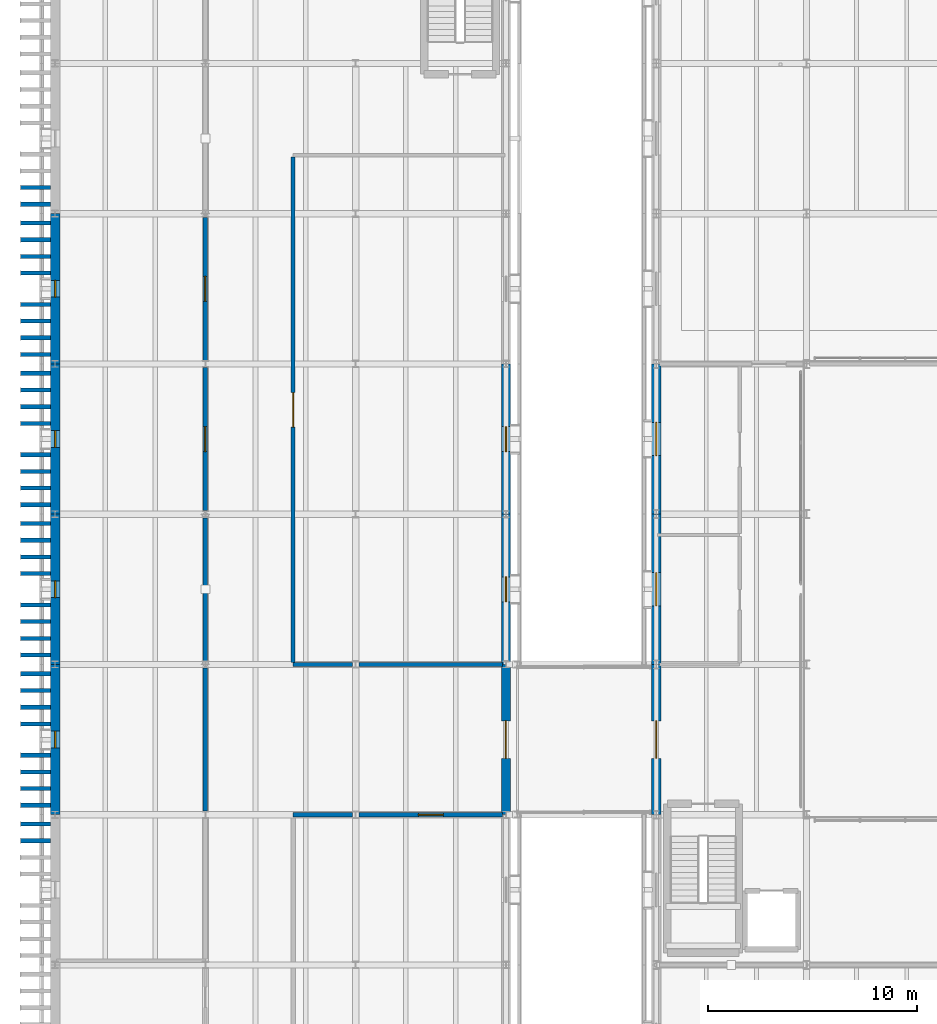
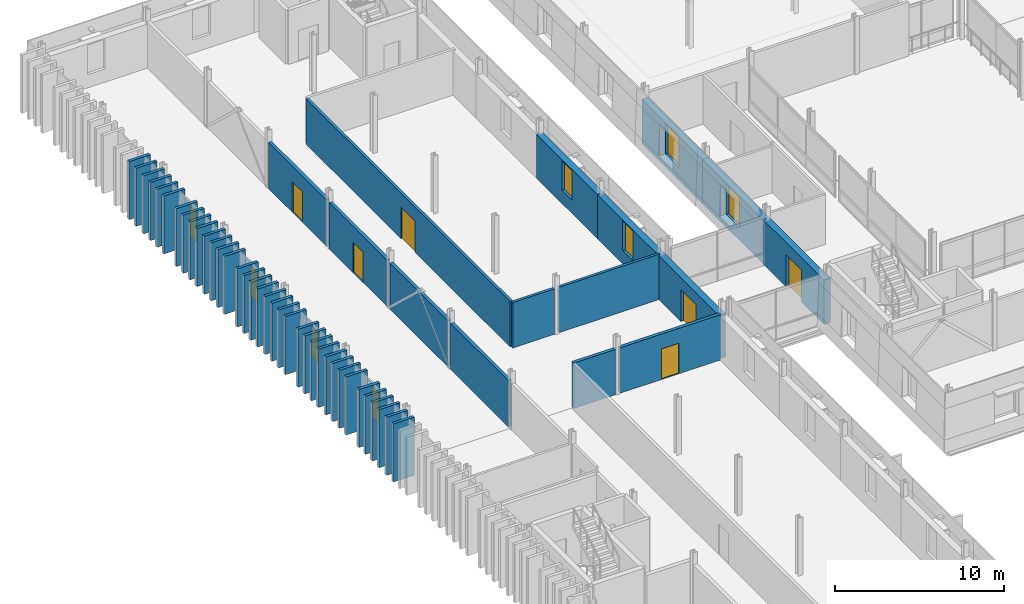
# One storey, part 70 of 115: 55 walls, 8 windows, 6 doors, 14 openings.
"""IFC4 building model written with IfcOpenShell, lengths in metres."""

from ifc_helpers import new_model, si_unit, direction, frame, frame_2d, origin, place, context, subcontext, project, spatial, rectangle, extrude, material, layer, layer_set, type_object, element, fill, save


model = new_model("IFC4")

# Units and contexts
model_context = context("Model", 3, precision=1e-05, world=origin(), true_north=direction((0.0, 1.0)))
body_context = subcontext(model_context, "Body", "Model", "MODEL_VIEW")
ifc_project = project(units=[si_unit("LENGTHUNIT", "METRE"), si_unit("AREAUNIT", "SQUARE_METRE"), si_unit("VOLUMEUNIT", "CUBIC_METRE"), si_unit("PLANEANGLEUNIT", "RADIAN"), si_unit("MASSUNIT", "GRAM", prefix="KILO")], contexts=[model_context])

# Site, building, storey
site_placement = place(None, origin())
site = spatial("IfcSite", under=ifc_project, at=site_placement, CompositionType="ELEMENT")
building_placement = place(site_placement, origin())
building = spatial("IfcBuilding", under=site, at=building_placement, Name="Narikvali Park Central Library", CompositionType="ELEMENT")
storey_placement = place(building_placement, frame((0.0, 0.0, 10.199951171875)))
storey = spatial("IfcBuildingStorey", under=building, at=storey_placement, Name="L02", CompositionType="ELEMENT", Elevation=10.199951171875)

# Wall
ifc_material_1 = material(Name="Reinforced Masonry Blockwork C30/37", Category="masonry")
ifc_layer_1 = layer(ifc_material_1, 0.219970703125, Name="Reinforced Masonry Blockwork C30/37")
ifc_layer_set_1 = layer_set([ifc_layer_1], Name="Reinforced Masonry Blockwork C30/37")
wall_type_1 = type_object("IfcWallType", Name="Archive Fire-Resisting Partition 220", PredefinedType="SOLIDWALL", material=ifc_layer_set_1)
wall_1_placement = place(storey_placement, frame((11.39990234375, 64.800048828125, 0.0), z_axis=(0.0, 0.0, 1.0), x_axis=(1.0, 0.0, 0.0)))
element("IfcWall", 1, at=wall_1_placement, inside=storey, type_object=wall_type_1, Name="Closed Book Stacks L02 Partition N", PredefinedType="SOLIDWALL", context=body_context, shape_type="SweptSolid", body=[
    extrude(rectangle(XDim=2.841064453125, YDim=0.219970703125, at=frame_2d((1.42041015625, 0.0))), origin(), (0.0, 0.0, 1.0), 3.28515625),
])

# Wall, opening, door
wall_2_placement = place(storey_placement, frame((14.55908203125, 64.800048828125, 0.0), z_axis=(0.0, 0.0, 1.0), x_axis=(1.0, 0.0, 0.0)))
wall_2 = element("IfcWall", 2, at=wall_2_placement, inside=storey, type_object=wall_type_1, Name="Closed Book Stacks L02 Partition N", PredefinedType="SOLIDWALL", context=body_context, shape_type="SweptSolid", body=[
    extrude(rectangle(XDim=6.8818359375, YDim=0.219970703125, at=frame_2d((3.44091796875, 0.0))), origin(), (0.0, 0.0, 1.0), 3.28515625),
])
opening_1_placement = place(wall_2_placement, frame((2.841064453125, 0.0, 0.0)))
opening_1 = element("IfcOpeningElement", 3, at=opening_1_placement, cuts=wall_2, Name="Opening ID-0127", PredefinedType="OPENING", context=body_context, shape_type="SweptSolid", body=[
    extrude(rectangle(XDim=1.199951171875, YDim=2.199951171875, at=frame_2d((0.60009765625, 1.10009765625))), frame((0.0, 0.1220703125, 0.0), z_axis=(0.0, -1.0, 0.0), x_axis=(1.0, 0.0, 0.0)), (0.0, 0.0, 1.0), 0.243896484375),
])
ifc_material_2 = material(Name="Insulated Steel S355 Vault Leaf", Category="steel")
door_type_1 = type_object("IfcDoorType", Name="Archive Vault Heavy Fire Door 1200x2200", OperationType="SINGLE_SWING_LEFT", PredefinedType="DOOR", material=ifc_material_2)
door_1_placement = place(opening_1_placement, frame((1.199951171875, 0.0, 0.0), z_axis=(0.0, 0.0, 1.0), x_axis=(-1.0, 0.0, 0.0)))
door_1 = element("IfcDoor", 4, at=door_1_placement, inside=storey, type_object=door_type_1, Name="Closed Book Stacks L02 Door ID-0127", OperationType="SINGLE_SWING_LEFT", OverallHeight=2.199951171875, OverallWidth=1.199951171875, PredefinedType="DOOR", context=body_context, shape_type="SweptSolid", body=[
    extrude(rectangle(XDim=1.199951171875, YDim=2.199951171875, at=frame_2d((0.60009765625, 1.10009765625))), frame((0.0, 0.02490234375, 0.0), z_axis=(0.0, -1.0, 0.0), x_axis=(1.0, 0.0, 0.0)), (0.0, 0.0, 1.0), 0.050048828125),
])
fill(opening_1, door_1)

# Walls
for number, where, z_axis, x_axis, name in (
    (5, (7.199951171875, 64.97412109375, 0.0), (0.0, 0.0, 1.0), (0.0, 1.0, 0.0), "Compact Mobile Shelving Stacks L02 Partition E"),
    (6, (7.199951171875, 72.174072265625, 0.0), (0.0, 0.0, 1.0), (0.0, 1.0, 0.0), "Compact Mobile Shelving Stacks L02 Partition E"),
):
    element("IfcWall", number, at=place(storey_placement, frame(where, z_axis=z_axis, x_axis=x_axis)), inside=storey, type_object=wall_type_1, Name=name, PredefinedType="SOLIDWALL", context=body_context, shape_type="SweptSolid", body=[
        extrude(rectangle(XDim=6.851806640625, YDim=0.219970703125, at=frame_2d((3.42578125, 0.0))), origin(), (0.0, 0.0, 1.0), 3.344970703125),
    ])

# Wall, opening, door
wall_3_placement = place(storey_placement, frame((7.199951171875, 79.3740234375, 0.0), z_axis=(0.0, 0.0, 1.0), x_axis=(0.0, 1.0, 0.0)))
wall_3 = element("IfcWall", 7, at=wall_3_placement, inside=storey, type_object=wall_type_1, Name="Compact Mobile Shelving Stacks L02 Partition E", PredefinedType="SOLIDWALL", context=body_context, shape_type="SweptSolid", body=[
    extrude(rectangle(XDim=6.85205078125, YDim=0.219970703125, at=frame_2d((3.426025390625, 0.0))), origin(), (0.0, 0.0, 1.0), 3.344970703125),
])
opening_2_placement = place(wall_3_placement, frame((2.825927734375, 0.0, 0.0)))
opening_2 = element("IfcOpeningElement", 8, at=opening_2_placement, cuts=wall_3, Name="Opening ID-0124", PredefinedType="OPENING", context=body_context, shape_type="SweptSolid", body=[
    extrude(rectangle(XDim=1.199951171875, YDim=2.199951171875, at=frame_2d((0.60009765625, 1.10009765625))), frame((0.0, 0.1220703125, 0.0), z_axis=(0.0, -1.0, 0.0), x_axis=(1.0, 0.0, 0.0)), (0.0, 0.0, 1.0), 0.243896484375),
])
door_2_placement = place(opening_2_placement, origin())
door_2 = element("IfcDoor", 9, at=door_2_placement, inside=storey, type_object=door_type_1, Name="Compact Mobile Shelving Stacks L02 Door ID-0124", OperationType="SINGLE_SWING_RIGHT", OverallHeight=2.199951171875, OverallWidth=1.199951171875, PredefinedType="DOOR", context=body_context, shape_type="SweptSolid", body=[
    extrude(rectangle(XDim=1.199951171875, YDim=2.199951171875, at=frame_2d((0.60009765625, 1.10009765625))), frame((0.0, 0.02490234375, 0.0), z_axis=(0.0, -1.0, 0.0), x_axis=(1.0, 0.0, 0.0)), (0.0, 0.0, 1.0), 0.050048828125),
])
fill(opening_2, door_2)

wall_4_placement = place(storey_placement, frame((7.199951171875, 86.573974609375, 0.0), z_axis=(0.0, 0.0, 1.0), x_axis=(0.0, 1.0, 0.0)))
wall_4 = element("IfcWall", 10, at=wall_4_placement, inside=storey, type_object=wall_type_1, Name="Compact Mobile Shelving Stacks L02 Partition E", PredefinedType="SOLIDWALL", context=body_context, shape_type="SweptSolid", body=[
    extrude(rectangle(XDim=6.85205078125, YDim=0.219970703125, at=frame_2d((3.426025390625, 0.0))), origin(), (0.0, 0.0, 1.0), 3.344970703125),
])
opening_3_placement = place(wall_4_placement, frame((2.825927734375, 0.0, 0.0)))
opening_3 = element("IfcOpeningElement", 11, at=opening_3_placement, cuts=wall_4, Name="Opening ID-0125", PredefinedType="OPENING", context=body_context, shape_type="SweptSolid", body=[
    extrude(rectangle(XDim=1.199951171875, YDim=2.199951171875, at=frame_2d((0.60009765625, 1.10009765625))), frame((0.0, 0.1220703125, 0.0), z_axis=(0.0, -1.0, 0.0), x_axis=(1.0, 0.0, 0.0)), (0.0, 0.0, 1.0), 0.243896484375),
])
door_3_placement = place(opening_3_placement, origin())
door_3 = element("IfcDoor", 12, at=door_3_placement, inside=storey, type_object=door_type_1, Name="Compact Mobile Shelving Stacks L02 Door ID-0125", OperationType="SINGLE_SWING_LEFT", OverallHeight=2.199951171875, OverallWidth=1.199951171875, PredefinedType="DOOR", context=body_context, shape_type="SweptSolid", body=[
    extrude(rectangle(XDim=1.199951171875, YDim=2.199951171875, at=frame_2d((0.60009765625, 1.10009765625))), frame((0.0, 0.02490234375, 0.0), z_axis=(0.0, -1.0, 0.0), x_axis=(1.0, 0.0, 0.0)), (0.0, 0.0, 1.0), 0.050048828125),
])
fill(opening_3, door_3)

# Walls
ifc_material_3 = material(Name="Kiln-Fired Terracotta Red Brick Masonry", Category="masonry")
ifc_layer_2 = layer(ifc_material_3, 0.199951171875, Name="Kiln-Fired Terracotta Red Brick Masonry")
ifc_layer_set_2 = layer_set([ifc_layer_2], Name="Kiln-Fired Terracotta Red Brick Masonry")
wall_type_2 = type_object("IfcWallType", Name="Kiln-Fired Red Brick Vertical Fin Wall 200", PredefinedType="SOLIDWALL", material=ifc_layer_set_2)
for number, where, z_axis, x_axis, name in (
    (13, (-1.659912109375, 63.550048828125, 0.0), (0.0, 0.0, 1.0), (1.0, 0.0, 0.0), "West Stacks Red Brick Vertical Fin Pier 207"),
    (14, (-1.659912109375, 64.35009765625, 0.0), (0.0, 0.0, 1.0), (1.0, 0.0, 0.0), "West Stacks Red Brick Vertical Fin Pier 213"),
    (15, (-1.659912109375, 65.25, 0.0), (0.0, 0.0, 1.0), (1.0, 0.0, 0.0), "West Stacks Red Brick Vertical Fin Pier 219"),
    (16, (-1.659912109375, 66.050048828125, 0.0), (0.0, 0.0, 1.0), (1.0, 0.0, 0.0), "West Stacks Red Brick Vertical Fin Pier 225"),
    (17, (-1.659912109375, 66.85009765625, 0.0), (0.0, 0.0, 1.0), (1.0, 0.0, 0.0), "West Stacks Red Brick Vertical Fin Pier 231"),
    (18, (-1.659912109375, 67.64990234375, 0.0), (0.0, 0.0, 1.0), (1.0, 0.0, 0.0), "West Stacks Red Brick Vertical Fin Pier 237"),
    (19, (-1.659912109375, 69.14990234375, 0.0), (0.0, 0.0, 1.0), (1.0, 0.0, 0.0), "West Stacks Red Brick Vertical Fin Pier 243"),
    (20, (-1.659912109375, 69.949951171875, 0.0), (0.0, 0.0, 1.0), (1.0, 0.0, 0.0), "West Stacks Red Brick Vertical Fin Pier 249"),
    (21, (-1.659912109375, 70.75, 0.0), (0.0, 0.0, 1.0), (1.0, 0.0, 0.0), "West Stacks Red Brick Vertical Fin Pier 255"),
    (22, (-1.659912109375, 71.550048828125, 0.0), (0.0, 0.0, 1.0), (1.0, 0.0, 0.0), "West Stacks Red Brick Vertical Fin Pier 261"),
    (23, (-1.659912109375, 72.449951171875, 0.0), (0.0, 0.0, 1.0), (1.0, 0.0, 0.0), "West Stacks Red Brick Vertical Fin Pier 267"),
    (24, (-1.659912109375, 73.25, 0.0), (0.0, 0.0, 1.0), (1.0, 0.0, 0.0), "West Stacks Red Brick Vertical Fin Pier 273"),
    (25, (-1.659912109375, 74.050048828125, 0.0), (0.0, 0.0, 1.0), (1.0, 0.0, 0.0), "West Stacks Red Brick Vertical Fin Pier 279"),
    (26, (-1.659912109375, 74.85009765625, 0.0), (0.0, 0.0, 1.0), (1.0, 0.0, 0.0), "West Stacks Red Brick Vertical Fin Pier 285"),
    (27, (-1.659912109375, 76.35009765625, 0.0), (0.0, 0.0, 1.0), (1.0, 0.0, 0.0), "West Stacks Red Brick Vertical Fin Pier 291"),
    (28, (-1.659912109375, 77.14990234375, 0.0), (0.0, 0.0, 1.0), (1.0, 0.0, 0.0), "West Stacks Red Brick Vertical Fin Pier 297"),
    (29, (-1.659912109375, 77.949951171875, 0.0), (0.0, 0.0, 1.0), (1.0, 0.0, 0.0), "West Stacks Red Brick Vertical Fin Pier 303"),
    (30, (-1.659912109375, 78.75, 0.0), (0.0, 0.0, 1.0), (1.0, 0.0, 0.0), "West Stacks Red Brick Vertical Fin Pier 309"),
    (31, (-1.659912109375, 79.64990234375, 0.0), (0.0, 0.0, 1.0), (1.0, 0.0, 0.0), "West Stacks Red Brick Vertical Fin Pier 315"),
    (32, (-1.659912109375, 80.449951171875, 0.0), (0.0, 0.0, 1.0), (1.0, 0.0, 0.0), "West Stacks Red Brick Vertical Fin Pier 321"),
    (33, (-1.659912109375, 81.25, 0.0), (0.0, 0.0, 1.0), (1.0, 0.0, 0.0), "West Stacks Red Brick Vertical Fin Pier 327"),
    (34, (-1.659912109375, 82.050048828125, 0.0), (0.0, 0.0, 1.0), (1.0, 0.0, 0.0), "West Stacks Red Brick Vertical Fin Pier 333"),
    (35, (-1.659912109375, 83.550048828125, 0.0), (0.0, 0.0, 1.0), (1.0, 0.0, 0.0), "West Stacks Red Brick Vertical Fin Pier 339"),
    (36, (-1.659912109375, 84.35009765625, 0.0), (0.0, 0.0, 1.0), (1.0, 0.0, 0.0), "West Stacks Red Brick Vertical Fin Pier 345"),
    (37, (-1.659912109375, 85.14990234375, 0.0), (0.0, 0.0, 1.0), (1.0, 0.0, 0.0), "West Stacks Red Brick Vertical Fin Pier 351"),
    (38, (-1.659912109375, 85.949951171875, 0.0), (0.0, 0.0, 1.0), (1.0, 0.0, 0.0), "West Stacks Red Brick Vertical Fin Pier 357"),
    (39, (-1.659912109375, 86.85009765625, 0.0), (0.0, 0.0, 1.0), (1.0, 0.0, 0.0), "West Stacks Red Brick Vertical Fin Pier 363"),
    (40, (-1.659912109375, 87.64990234375, 0.0), (0.0, 0.0, 1.0), (1.0, 0.0, 0.0), "West Stacks Red Brick Vertical Fin Pier 369"),
    (41, (-1.659912109375, 88.449951171875, 0.0), (0.0, 0.0, 1.0), (1.0, 0.0, 0.0), "West Stacks Red Brick Vertical Fin Pier 375"),
    (42, (-1.659912109375, 89.25, 0.0), (0.0, 0.0, 1.0), (1.0, 0.0, 0.0), "West Stacks Red Brick Vertical Fin Pier 381"),
    (43, (-1.659912109375, 90.75, 0.0), (0.0, 0.0, 1.0), (1.0, 0.0, 0.0), "West Stacks Red Brick Vertical Fin Pier 387"),
    (44, (-1.659912109375, 91.550048828125, 0.0), (0.0, 0.0, 1.0), (1.0, 0.0, 0.0), "West Stacks Red Brick Vertical Fin Pier 393"),
    (45, (-1.659912109375, 92.35009765625, 0.0), (0.0, 0.0, 1.0), (1.0, 0.0, 0.0), "West Stacks Red Brick Vertical Fin Pier 399"),
    (46, (-1.659912109375, 93.14990234375, 0.0), (0.0, 0.0, 1.0), (1.0, 0.0, 0.0), "West Stacks Red Brick Vertical Fin Pier 405"),
    (47, (-1.659912109375, 94.050048828125, 0.0), (0.0, 0.0, 1.0), (1.0, 0.0, 0.0), "West Stacks Red Brick Vertical Fin Pier 411"),
    (48, (-1.659912109375, 94.85009765625, 0.0), (0.0, 0.0, 1.0), (1.0, 0.0, 0.0), "West Stacks Red Brick Vertical Fin Pier 417"),
):
    element("IfcWall", number, at=place(storey_placement, frame(where, z_axis=z_axis, x_axis=x_axis)), inside=storey, type_object=wall_type_2, Name=name, PredefinedType="SOLIDWALL", context=body_context, shape_type="SweptSolid", body=[
        extrude(rectangle(XDim=1.43994140625, YDim=0.199951171875, at=frame_2d((0.719970703125, 0.0))), origin(), (0.0, 0.0, 1.0), 4.199951171875),
    ])
ifc_material_4 = material(Name="Acoustic Gypsum on Steel Studs", Category="steel")
ifc_layer_3 = layer(ifc_material_4, 0.179931640625, Name="Acoustic Gypsum on Steel Studs")
ifc_layer_set_3 = layer_set([ifc_layer_3], Name="Acoustic Gypsum on Steel Studs")
wall_type_3 = type_object("IfcWallType", Name="Reading Room Acoustic Partition 180", PredefinedType="PARTITIONING", material=ifc_layer_set_3)
wall_5_placement = place(storey_placement, frame((11.39990234375, 72.0, 0.0), z_axis=(0.0, 0.0, 1.0), x_axis=(1.0, 0.0, 0.0)))
element("IfcWall", 49, at=wall_5_placement, inside=storey, type_object=wall_type_3, Name="Scholars Research Reading Room L02 Partition S", PredefinedType="PARTITIONING", context=body_context, shape_type="SweptSolid", body=[
    extrude(rectangle(XDim=2.841064453125, YDim=0.179931640625, at=frame_2d((1.42041015625, 0.0))), origin(), (0.0, 0.0, 1.0), 3.28515625),
])
wall_6_placement = place(storey_placement, frame((14.55908203125, 72.0, 0.0), z_axis=(0.0, 0.0, 1.0), x_axis=(1.0, 0.0, 0.0)))
element("IfcWall", 50, at=wall_6_placement, inside=storey, type_object=wall_type_3, Name="Scholars Research Reading Room L02 Partition S", PredefinedType="PARTITIONING", context=body_context, shape_type="SweptSolid", body=[
    extrude(rectangle(XDim=6.8818359375, YDim=0.179931640625, at=frame_2d((3.44091796875, 0.0))), origin(), (0.0, 0.0, 1.0), 3.28515625),
])

# Wall, opening, door
wall_7_placement = place(storey_placement, frame((11.39990234375, 72.092041015625, 0.0), z_axis=(0.0, 0.0, 1.0), x_axis=(0.0, 1.0, 0.0)))
wall_7 = element("IfcWall", 51, at=wall_7_placement, inside=storey, type_object=wall_type_3, Name="Scholars Research Reading Room L02 Partition W", PredefinedType="PARTITIONING", context=body_context, shape_type="SweptSolid", body=[
    extrude(rectangle(XDim=24.216064453125, YDim=0.179931640625, at=frame_2d((12.10791015625, 0.0))), origin(), (0.0, 0.0, 1.0), 3.28515625),
])
opening_4_placement = place(wall_7_placement, frame((11.282958984375, 0.0, 0.0)))
opening_4 = element("IfcOpeningElement", 52, at=opening_4_placement, cuts=wall_7, Name="Opening ID-0128", PredefinedType="OPENING", context=body_context, shape_type="SweptSolid", body=[
    extrude(rectangle(XDim=1.64990234375, YDim=2.25, at=frame_2d((0.824951171875, 1.125))), frame((0.0, 0.10205078125, 0.0), z_axis=(0.0, -1.0, 0.0), x_axis=(1.0, 0.0, 0.0)), (0.0, 0.0, 1.0), 0.203857421875),
])
ifc_material_5 = material(Name="Caucasian Oak and Tempered Glass", Category="glass")
door_type_2 = type_object("IfcDoorType", Name="Open Stacks Double Glazed Door 1650x2250", OperationType="DOUBLE_DOOR_SINGLE_SWING", PredefinedType="DOOR", material=ifc_material_5)
door_4_placement = place(opening_4_placement, frame((1.64990234375, 0.0, 0.0), z_axis=(0.0, 0.0, 1.0), x_axis=(-1.0, 0.0, 0.0)))
door_4 = element("IfcDoor", 53, at=door_4_placement, inside=storey, type_object=door_type_2, Name="Scholars Research Reading Room L02 Door ID-0128", OperationType="DOUBLE_DOOR_SINGLE_SWING", OverallHeight=2.25, OverallWidth=1.64990234375, PredefinedType="DOOR", context=body_context, shape_type="SweptSolid", body=[
    extrude(rectangle(XDim=1.64990234375, YDim=2.25, at=frame_2d((0.824951171875, 1.125))), frame((0.0, 0.02490234375, 0.0), z_axis=(0.0, -1.0, 0.0), x_axis=(1.0, 0.0, 0.0)), (0.0, 0.0, 1.0), 0.050048828125),
])
fill(opening_4, door_4)

# Wall, opening, window
ifc_material_6 = material(Name="White Honed Limestone over Concrete C35/45", Category="masonry")
ifc_layer_4 = layer(ifc_material_6, 0.43994140625, Name="White Honed Limestone over Concrete C35/45")
ifc_layer_set_4 = layer_set([ifc_layer_4], Name="White Honed Limestone over Concrete C35/45")
wall_type_4 = type_object("IfcWallType", Name="White Limestone Battered Tier2 Wall 440", PredefinedType="SOLIDWALL", material=ifc_layer_set_4)
wall_8_placement = place(storey_placement, frame((28.800048828125, 86.39990234375, 0.0), z_axis=(0.0, 0.0, 1.0), x_axis=(0.0, -1.0, 0.0)))
wall_8 = element("IfcWall", 54, at=wall_8_placement, inside=storey, type_object=wall_type_4, Name="V4 L02 W Exterior Limestone Wall B05", PredefinedType="SOLIDWALL", context=body_context, shape_type="SweptSolid", body=[
    extrude(rectangle(XDim=7.199951171875, YDim=0.43994140625, at=frame_2d((3.60009765625, 0.0))), origin(), (0.0, 0.0, 1.0), 3.199951171875),
])
opening_5_placement = place(wall_8_placement, frame((2.800048828125, 0.0, 0.919921875)))
opening_5 = element("IfcOpeningElement", 55, at=opening_5_placement, cuts=wall_8, Name="Opening WIN-0181", PredefinedType="OPENING", context=body_context, shape_type="SweptSolid", body=[
    extrude(rectangle(XDim=1.60009765625, YDim=2.199951171875, at=frame_2d((0.800048828125, 1.10009765625))), frame((0.0, 0.23193359375, 0.0), z_axis=(0.0, -1.0, 0.0), x_axis=(1.0, 0.0, 0.0)), (0.0, 0.0, 1.0), 0.4638671875),
])
ifc_material_7 = material(Name="Anodised Bronze Aluminium and Low-E Triple Glazing", Category="aluminium")
window_type_1 = type_object("IfcWindowType", Name="Atrium Reading Wing Classical Window 1600x2200", PartitioningType="DOUBLE_PANEL_VERTICAL", PredefinedType="WINDOW", material=ifc_material_7)
window_1_placement = place(opening_5_placement, origin())
window_1 = element("IfcWindow", 56, at=window_1_placement, inside=storey, type_object=window_type_1, Name="V4 L02 W Deep-Reveal Window WIN-0181", OverallHeight=2.199951171875, OverallWidth=1.60009765625, PartitioningType="SINGLE_PANEL", PredefinedType="WINDOW", context=body_context, shape_type="SweptSolid", body=[
    extrude(rectangle(XDim=1.60009765625, YDim=2.199951171875, at=frame_2d((0.800048828125, 1.10009765625))), frame((0.0, 0.030029296875, 0.0), z_axis=(0.0, -1.0, 0.0), x_axis=(1.0, 0.0, 0.0)), (0.0, 0.0, 1.0), 0.06005859375),
])
fill(opening_5, window_1)

wall_9_placement = place(storey_placement, frame((28.800048828125, 79.199951171875, 0.0), z_axis=(0.0, 0.0, 1.0), x_axis=(0.0, -1.0, 0.0)))
wall_9 = element("IfcWall", 57, at=wall_9_placement, inside=storey, type_object=wall_type_4, Name="V4 L02 W Exterior Limestone Wall B06", PredefinedType="SOLIDWALL", context=body_context, shape_type="SweptSolid", body=[
    extrude(rectangle(XDim=7.199951171875, YDim=0.43994140625, at=frame_2d((3.60009765625, 0.0))), origin(), (0.0, 0.0, 1.0), 3.199951171875),
])
opening_6_placement = place(wall_9_placement, frame((2.800048828125, 0.0, 0.919921875)))
opening_6 = element("IfcOpeningElement", 58, at=opening_6_placement, cuts=wall_9, Name="Opening WIN-0182", PredefinedType="OPENING", context=body_context, shape_type="SweptSolid", body=[
    extrude(rectangle(XDim=1.60009765625, YDim=2.199951171875, at=frame_2d((0.800048828125, 1.10009765625))), frame((0.0, 0.23193359375, 0.0), z_axis=(0.0, -1.0, 0.0), x_axis=(1.0, 0.0, 0.0)), (0.0, 0.0, 1.0), 0.4638671875),
])
window_2_placement = place(opening_6_placement, origin())
window_2 = element("IfcWindow", 59, at=window_2_placement, inside=storey, type_object=window_type_1, Name="V4 L02 W Deep-Reveal Window WIN-0182", OverallHeight=2.199951171875, OverallWidth=1.60009765625, PartitioningType="SINGLE_PANEL", PredefinedType="WINDOW", context=body_context, shape_type="SweptSolid", body=[
    extrude(rectangle(XDim=1.60009765625, YDim=2.199951171875, at=frame_2d((0.800048828125, 1.10009765625))), frame((0.0, 0.030029296875, 0.0), z_axis=(0.0, -1.0, 0.0), x_axis=(1.0, 0.0, 0.0)), (0.0, 0.0, 1.0), 0.06005859375),
])
fill(opening_6, window_2)

# Wall, opening, door
wall_10_placement = place(storey_placement, frame((28.800048828125, 72.0, 0.0), z_axis=(0.0, 0.0, 1.0), x_axis=(0.0, -1.0, 0.0)))
wall_10 = element("IfcWall", 60, at=wall_10_placement, inside=storey, type_object=wall_type_4, Name="V4 L02 W Exterior Limestone Wall B07", PredefinedType="SOLIDWALL", context=body_context, shape_type="SweptSolid", body=[
    extrude(rectangle(XDim=7.199951171875, YDim=0.43994140625, at=frame_2d((3.60009765625, 0.0))), origin(), (0.0, 0.0, 1.0), 3.199951171875),
])
opening_7_placement = place(wall_10_placement, frame((2.699951171875, 0.0, 0.0)))
opening_7 = element("IfcOpeningElement", 61, at=opening_7_placement, cuts=wall_10, Name="Opening BD-035", PredefinedType="OPENING", context=body_context, shape_type="SweptSolid", body=[
    extrude(rectangle(XDim=1.800048828125, YDim=2.300048828125, at=frame_2d((0.89990234375, 1.14990234375))), frame((0.0, 0.23193359375, 0.0), z_axis=(0.0, -1.0, 0.0), x_axis=(1.0, 0.0, 0.0)), (0.0, 0.0, 1.0), 0.4638671875),
])
ifc_material_8 = material(Name="Fire-Rated Glazing in Steel S275 Frame", Category="steel")
door_type_3 = type_object("IfcDoorType", Name="Glazed Double Corridor Bridge Fire Door 1800x2300", OperationType="DOUBLE_DOOR_SINGLE_SWING", PredefinedType="DOOR", material=ifc_material_8)
door_5_placement = place(opening_7_placement, origin())
door_5 = element("IfcDoor", 62, at=door_5_placement, inside=storey, type_object=door_type_3, Name="V4 L02 Covered Bridge Fire Door BD-035", OperationType="DOUBLE_DOOR_SINGLE_SWING", OverallHeight=2.300048828125, OverallWidth=1.800048828125, PredefinedType="DOOR", context=body_context, shape_type="SweptSolid", body=[
    extrude(rectangle(XDim=1.800048828125, YDim=2.300048828125, at=frame_2d((0.89990234375, 1.14990234375))), frame((0.0, 0.02490234375, 0.0), z_axis=(0.0, -1.0, 0.0), x_axis=(1.0, 0.0, 0.0)), (0.0, 0.0, 1.0), 0.050048828125),
])
fill(opening_7, door_5)

wall_11_placement = place(storey_placement, frame((21.60009765625, 64.800048828125, 0.0), z_axis=(0.0, 0.0, 1.0), x_axis=(0.0, 1.0, 0.0)))
wall_11 = element("IfcWall", 63, at=wall_11_placement, inside=storey, type_object=wall_type_4, Name="V5 L02 E Exterior Limestone Wall B06", PredefinedType="SOLIDWALL", context=body_context, shape_type="SweptSolid", body=[
    extrude(rectangle(XDim=7.199951171875, YDim=0.43994140625, at=frame_2d((3.60009765625, 0.0))), origin(), (0.0, 0.0, 1.0), 3.179931640625),
])
opening_8_placement = place(wall_11_placement, frame((2.699951171875, 0.0, 0.0)))
opening_8 = element("IfcOpeningElement", 64, at=opening_8_placement, cuts=wall_11, Name="Opening BD-044", PredefinedType="OPENING", context=body_context, shape_type="SweptSolid", body=[
    extrude(rectangle(XDim=1.800048828125, YDim=2.300048828125, at=frame_2d((0.89990234375, 1.14990234375))), frame((0.0, 0.23193359375, 0.0), z_axis=(0.0, -1.0, 0.0), x_axis=(1.0, 0.0, 0.0)), (0.0, 0.0, 1.0), 0.4638671875),
])
door_6_placement = place(opening_8_placement, origin())
door_6 = element("IfcDoor", 65, at=door_6_placement, inside=storey, type_object=door_type_3, Name="V5 L02 Covered Bridge Fire Door BD-044", OperationType="DOUBLE_DOOR_SINGLE_SWING", OverallHeight=2.300048828125, OverallWidth=1.800048828125, PredefinedType="DOOR", context=body_context, shape_type="SweptSolid", body=[
    extrude(rectangle(XDim=1.800048828125, YDim=2.300048828125, at=frame_2d((0.89990234375, 1.14990234375))), frame((0.0, 0.02490234375, 0.0), z_axis=(0.0, -1.0, 0.0), x_axis=(1.0, 0.0, 0.0)), (0.0, 0.0, 1.0), 0.050048828125),
])
fill(opening_8, door_6)

# Wall, opening, window
wall_12_placement = place(storey_placement, frame((21.60009765625, 72.0, 0.0), z_axis=(0.0, 0.0, 1.0), x_axis=(0.0, 1.0, 0.0)))
wall_12 = element("IfcWall", 66, at=wall_12_placement, inside=storey, type_object=wall_type_4, Name="V5 L02 E Exterior Limestone Wall B07", PredefinedType="SOLIDWALL", context=body_context, shape_type="SweptSolid", body=[
    extrude(rectangle(XDim=7.199951171875, YDim=0.43994140625, at=frame_2d((3.60009765625, 0.0))), origin(), (0.0, 0.0, 1.0), 3.179931640625),
])
opening_9_placement = place(wall_12_placement, frame((3.0, 0.0, 0.949951171875)))
opening_9 = element("IfcOpeningElement", 67, at=opening_9_placement, cuts=wall_12, Name="Opening WIN-0268", PredefinedType="OPENING", context=body_context, shape_type="SweptSolid", body=[
    extrude(rectangle(XDim=1.199951171875, YDim=2.14990234375, at=frame_2d((0.60009765625, 1.074951171875))), frame((0.0, 0.23193359375, 0.0), z_axis=(0.0, -1.0, 0.0), x_axis=(1.0, 0.0, 0.0)), (0.0, 0.0, 1.0), 0.4638671875),
])
window_type_2 = type_object("IfcWindowType", Name="Stacks Archive Deep-Reveal Punched Window 1200x2150", PartitioningType="SINGLE_PANEL", PredefinedType="WINDOW", material=ifc_material_7)
window_3_placement = place(opening_9_placement, origin())
window_3 = element("IfcWindow", 68, at=window_3_placement, inside=storey, type_object=window_type_2, Name="V5 L02 E Deep-Reveal Window WIN-0268", OverallHeight=2.14990234375, OverallWidth=1.199951171875, PartitioningType="SINGLE_PANEL", PredefinedType="WINDOW", context=body_context, shape_type="SweptSolid", body=[
    extrude(rectangle(XDim=1.199951171875, YDim=2.14990234375, at=frame_2d((0.60009765625, 1.074951171875))), frame((0.0, 0.030029296875, 0.0), z_axis=(0.0, -1.0, 0.0), x_axis=(1.0, 0.0, 0.0)), (0.0, 0.0, 1.0), 0.06005859375),
])
fill(opening_9, window_3)

wall_13_placement = place(storey_placement, frame((21.60009765625, 79.199951171875, 0.0), z_axis=(0.0, 0.0, 1.0), x_axis=(0.0, 1.0, 0.0)))
wall_13 = element("IfcWall", 69, at=wall_13_placement, inside=storey, type_object=wall_type_4, Name="V5 L02 E Exterior Limestone Wall B08", PredefinedType="SOLIDWALL", context=body_context, shape_type="SweptSolid", body=[
    extrude(rectangle(XDim=7.199951171875, YDim=0.43994140625, at=frame_2d((3.60009765625, 0.0))), origin(), (0.0, 0.0, 1.0), 3.179931640625),
])
opening_10_placement = place(wall_13_placement, frame((3.0, 0.0, 0.949951171875)))
opening_10 = element("IfcOpeningElement", 70, at=opening_10_placement, cuts=wall_13, Name="Opening WIN-0269", PredefinedType="OPENING", context=body_context, shape_type="SweptSolid", body=[
    extrude(rectangle(XDim=1.199951171875, YDim=2.14990234375, at=frame_2d((0.60009765625, 1.074951171875))), frame((0.0, 0.23193359375, 0.0), z_axis=(0.0, -1.0, 0.0), x_axis=(1.0, 0.0, 0.0)), (0.0, 0.0, 1.0), 0.4638671875),
])
window_4_placement = place(opening_10_placement, origin())
window_4 = element("IfcWindow", 71, at=window_4_placement, inside=storey, type_object=window_type_2, Name="V5 L02 E Deep-Reveal Window WIN-0269", OverallHeight=2.14990234375, OverallWidth=1.199951171875, PartitioningType="SINGLE_PANEL", PredefinedType="WINDOW", context=body_context, shape_type="SweptSolid", body=[
    extrude(rectangle(XDim=1.199951171875, YDim=2.14990234375, at=frame_2d((0.60009765625, 1.074951171875))), frame((0.0, 0.030029296875, 0.0), z_axis=(0.0, -1.0, 0.0), x_axis=(1.0, 0.0, 0.0)), (0.0, 0.0, 1.0), 0.06005859375),
])
fill(opening_10, window_4)

wall_14_placement = place(storey_placement, frame((0.0, 93.60009765625, 0.0), z_axis=(0.0, 0.0, 1.0), x_axis=(0.0, -1.0, 0.0)))
wall_14 = element("IfcWall", 72, at=wall_14_placement, inside=storey, type_object=wall_type_4, Name="V5 L02 W Exterior Limestone Wall B03", PredefinedType="SOLIDWALL", context=body_context, shape_type="SweptSolid", body=[
    extrude(rectangle(XDim=7.2001953125, YDim=0.43994140625, at=frame_2d((3.60009765625, 0.0))), origin(), (0.0, 0.0, 1.0), 3.02001953125),
])
opening_11_placement = place(wall_14_placement, frame((3.199951171875, 0.0, 0.949951171875)))
opening_11 = element("IfcOpeningElement", 73, at=opening_11_placement, cuts=wall_14, Name="Opening WIN-0276", PredefinedType="OPENING", context=body_context, shape_type="SweptSolid", body=[
    extrude(rectangle(XDim=0.800048828125, YDim=2.14990234375, at=frame_2d((0.39990234375, 1.074951171875))), frame((0.0, 0.23193359375, 0.0), z_axis=(0.0, -1.0, 0.0), x_axis=(1.0, 0.0, 0.0)), (0.0, 0.0, 1.0), 0.4638671875),
])
window_type_3 = type_object("IfcWindowType", Name="West Fin-Bay Narrow Carrel Slot Window 800x2150", PartitioningType="SINGLE_PANEL", PredefinedType="WINDOW", material=ifc_material_7)
window_5_placement = place(opening_11_placement, origin())
window_5 = element("IfcWindow", 74, at=window_5_placement, inside=storey, type_object=window_type_3, Name="V5 L02 W Deep-Reveal Window WIN-0276", OverallHeight=2.14990234375, OverallWidth=0.800048828125, PartitioningType="SINGLE_PANEL", PredefinedType="WINDOW", context=body_context, shape_type="SweptSolid", body=[
    extrude(rectangle(XDim=0.800048828125, YDim=2.14990234375, at=frame_2d((0.39990234375, 1.074951171875))), frame((0.0, 0.030029296875, 0.0), z_axis=(0.0, -1.0, 0.0), x_axis=(1.0, 0.0, 0.0)), (0.0, 0.0, 1.0), 0.06005859375),
])
fill(opening_11, window_5)

wall_15_placement = place(storey_placement, frame((0.0, 86.39990234375, 0.0), z_axis=(0.0, 0.0, 1.0), x_axis=(0.0, -1.0, 0.0)))
wall_15 = element("IfcWall", 75, at=wall_15_placement, inside=storey, type_object=wall_type_4, Name="V5 L02 W Exterior Limestone Wall B04", PredefinedType="SOLIDWALL", context=body_context, shape_type="SweptSolid", body=[
    extrude(rectangle(XDim=7.199951171875, YDim=0.43994140625, at=frame_2d((3.60009765625, 0.0))), origin(), (0.0, 0.0, 1.0), 3.02001953125),
])
opening_12_placement = place(wall_15_placement, frame((3.199951171875, 0.0, 0.949951171875)))
opening_12 = element("IfcOpeningElement", 76, at=opening_12_placement, cuts=wall_15, Name="Opening WIN-0277", PredefinedType="OPENING", context=body_context, shape_type="SweptSolid", body=[
    extrude(rectangle(XDim=0.800048828125, YDim=2.14990234375, at=frame_2d((0.39990234375, 1.074951171875))), frame((0.0, 0.23193359375, 0.0), z_axis=(0.0, -1.0, 0.0), x_axis=(1.0, 0.0, 0.0)), (0.0, 0.0, 1.0), 0.4638671875),
])
window_6_placement = place(opening_12_placement, origin())
window_6 = element("IfcWindow", 77, at=window_6_placement, inside=storey, type_object=window_type_3, Name="V5 L02 W Deep-Reveal Window WIN-0277", OverallHeight=2.14990234375, OverallWidth=0.800048828125, PartitioningType="SINGLE_PANEL", PredefinedType="WINDOW", context=body_context, shape_type="SweptSolid", body=[
    extrude(rectangle(XDim=0.800048828125, YDim=2.14990234375, at=frame_2d((0.39990234375, 1.074951171875))), frame((0.0, 0.030029296875, 0.0), z_axis=(0.0, -1.0, 0.0), x_axis=(1.0, 0.0, 0.0)), (0.0, 0.0, 1.0), 0.06005859375),
])
fill(opening_12, window_6)

wall_16_placement = place(storey_placement, frame((0.0, 79.199951171875, 0.0), z_axis=(0.0, 0.0, 1.0), x_axis=(0.0, -1.0, 0.0)))
wall_16 = element("IfcWall", 78, at=wall_16_placement, inside=storey, type_object=wall_type_4, Name="V5 L02 W Exterior Limestone Wall B05", PredefinedType="SOLIDWALL", context=body_context, shape_type="SweptSolid", body=[
    extrude(rectangle(XDim=7.199951171875, YDim=0.43994140625, at=frame_2d((3.60009765625, 0.0))), origin(), (0.0, 0.0, 1.0), 3.02001953125),
])
opening_13_placement = place(wall_16_placement, frame((3.199951171875, 0.0, 0.949951171875)))
opening_13 = element("IfcOpeningElement", 79, at=opening_13_placement, cuts=wall_16, Name="Opening WIN-0278", PredefinedType="OPENING", context=body_context, shape_type="SweptSolid", body=[
    extrude(rectangle(XDim=0.800048828125, YDim=2.14990234375, at=frame_2d((0.39990234375, 1.074951171875))), frame((0.0, 0.23193359375, 0.0), z_axis=(0.0, -1.0, 0.0), x_axis=(1.0, 0.0, 0.0)), (0.0, 0.0, 1.0), 0.4638671875),
])
window_7_placement = place(opening_13_placement, origin())
window_7 = element("IfcWindow", 80, at=window_7_placement, inside=storey, type_object=window_type_3, Name="V5 L02 W Deep-Reveal Window WIN-0278", OverallHeight=2.14990234375, OverallWidth=0.800048828125, PartitioningType="SINGLE_PANEL", PredefinedType="WINDOW", context=body_context, shape_type="SweptSolid", body=[
    extrude(rectangle(XDim=0.800048828125, YDim=2.14990234375, at=frame_2d((0.39990234375, 1.074951171875))), frame((0.0, 0.030029296875, 0.0), z_axis=(0.0, -1.0, 0.0), x_axis=(1.0, 0.0, 0.0)), (0.0, 0.0, 1.0), 0.06005859375),
])
fill(opening_13, window_7)

wall_17_placement = place(storey_placement, frame((0.0, 72.0, 0.0), z_axis=(0.0, 0.0, 1.0), x_axis=(0.0, -1.0, 0.0)))
wall_17 = element("IfcWall", 81, at=wall_17_placement, inside=storey, type_object=wall_type_4, Name="V5 L02 W Exterior Limestone Wall B06", PredefinedType="SOLIDWALL", context=body_context, shape_type="SweptSolid", body=[
    extrude(rectangle(XDim=7.199951171875, YDim=0.43994140625, at=frame_2d((3.60009765625, 0.0))), origin(), (0.0, 0.0, 1.0), 3.02001953125),
])
opening_14_placement = place(wall_17_placement, frame((3.199951171875, 0.0, 0.949951171875)))
opening_14 = element("IfcOpeningElement", 82, at=opening_14_placement, cuts=wall_17, Name="Opening WIN-0279", PredefinedType="OPENING", context=body_context, shape_type="SweptSolid", body=[
    extrude(rectangle(XDim=0.800048828125, YDim=2.14990234375, at=frame_2d((0.39990234375, 1.074951171875))), frame((0.0, 0.23193359375, 0.0), z_axis=(0.0, -1.0, 0.0), x_axis=(1.0, 0.0, 0.0)), (0.0, 0.0, 1.0), 0.4638671875),
])
window_8_placement = place(opening_14_placement, origin())
window_8 = element("IfcWindow", 83, at=window_8_placement, inside=storey, type_object=window_type_3, Name="V5 L02 W Deep-Reveal Window WIN-0279", OverallHeight=2.14990234375, OverallWidth=0.800048828125, PartitioningType="SINGLE_PANEL", PredefinedType="WINDOW", context=body_context, shape_type="SweptSolid", body=[
    extrude(rectangle(XDim=0.800048828125, YDim=2.14990234375, at=frame_2d((0.39990234375, 1.074951171875))), frame((0.0, 0.030029296875, 0.0), z_axis=(0.0, -1.0, 0.0), x_axis=(1.0, 0.0, 0.0)), (0.0, 0.0, 1.0), 0.06005859375),
])
fill(opening_14, window_8)

save(model, "model.ifc")
